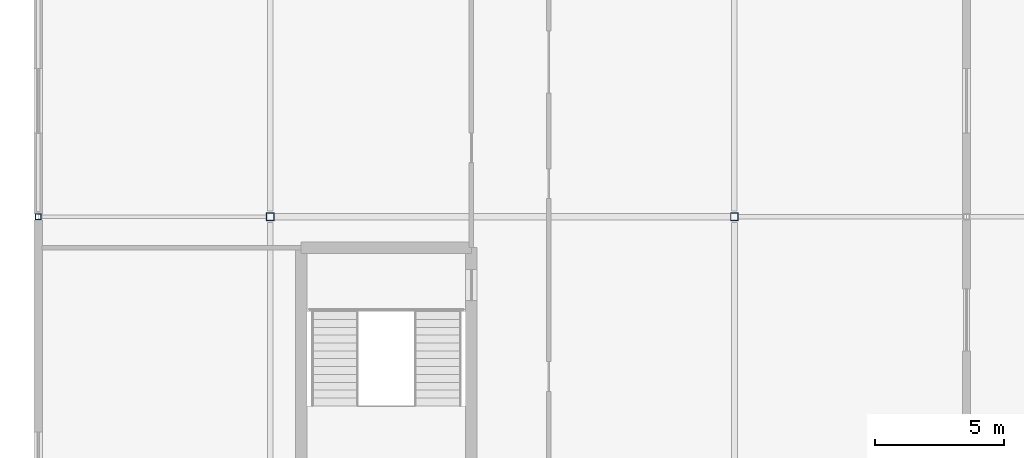
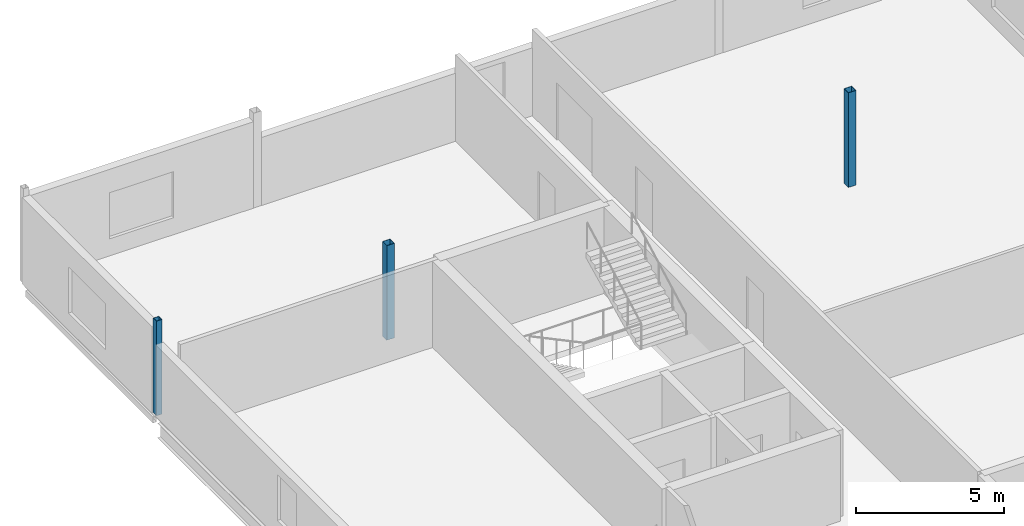
# One storey, part 7 of 55: 3 columns.
"""IFC4 building model written with IfcOpenShell, lengths in metres."""

from ifc_helpers import new_model, si_unit, direction, frame, origin, origin_2d, place, context, subcontext, project, spatial, hollow_rectangle, extrude, material, material_profile, profile_set, type_object, element, save


model = new_model("IFC4")

# Units and contexts
model_context = context("Model", 3, precision=1e-05, world=origin(), true_north=direction((0.0, 1.0)))
body_context = subcontext(model_context, "Body", "Model", "MODEL_VIEW")
ifc_project = project(units=[si_unit("LENGTHUNIT", "METRE"), si_unit("AREAUNIT", "SQUARE_METRE"), si_unit("VOLUMEUNIT", "CUBIC_METRE"), si_unit("PLANEANGLEUNIT", "RADIAN"), si_unit("MASSUNIT", "GRAM", prefix="KILO")], contexts=[model_context])

# Site, building, storey
site_placement = place(None, origin())
site = spatial("IfcSite", under=ifc_project, at=site_placement, CompositionType="ELEMENT")
building_placement = place(site_placement, origin())
building = spatial("IfcBuilding", under=site, at=building_placement, Name="Kisiwana Market Hall", CompositionType="ELEMENT")
storey_placement = place(building_placement, frame((0.0, 0.0, 37.800048828125)))
storey = spatial("IfcBuildingStorey", under=building, at=storey_placement, Name="L08", CompositionType="ELEMENT", Elevation=37.800048828125)

# Columns
ifc_material_1 = material(Name="Steel S355", Category="steel")
ifc_material_profile_1 = material_profile(ifc_material_1, hollow_rectangle(XDim=0.219970703125, YDim=0.219970703125, WallThickness=0.010009765625, at=origin_2d()), Name="SHS 220x220x10")
ifc_profile_set_1 = profile_set([ifc_material_profile_1], Name="Steel S355")
column_type_1 = type_object("IfcColumnType", Name="COL-STL-SHS220", PredefinedType="COLUMN", material=ifc_profile_set_1)
column_placement = place(storey_placement, frame((0.0, 102.0, 0.0), z_axis=(0.0, 0.0, 1.0), x_axis=(1.0, 0.0, 0.0)))
element("IfcColumn", 1, at=column_placement, inside=storey, type_object=column_type_1, Name="Column N/1 (L08) C-1159", PredefinedType="COLUMN", context=body_context, shape_type="SweptSolid", body=[
    extrude(hollow_rectangle(XDim=0.219970703125, YDim=0.219970703125, WallThickness=0.010009765625, at=origin_2d()), origin(), (0.0, 0.0, 1.0), 3.89990234375),
])
ifc_material_2 = material(Name="Steel S355", Category="steel")
ifc_material_profile_2 = material_profile(ifc_material_2, hollow_rectangle(XDim=0.300048828125, YDim=0.300048828125, WallThickness=0.012451171875, at=origin_2d()), Name="SHS 300x300x12.5")
ifc_profile_set_2 = profile_set([ifc_material_profile_2], Name="Steel S355")
column_type_2 = type_object("IfcColumnType", Name="COL-STL-SHS300", PredefinedType="COLUMN", material=ifc_profile_set_2)
for number, where, z_axis, x_axis, name in (
    (2, (9.0, 102.0, 0.0), (0.0, 0.0, 1.0), (1.0, 0.0, 0.0), "Column N/2 (L08) C-1165"),
    (3, (27.0, 102.0, 0.0), (0.0, 0.0, 1.0), (1.0, 0.0, 0.0), "Column N/4 (L08) C-1172"),
):
    element("IfcColumn", number, at=place(storey_placement, frame(where, z_axis=z_axis, x_axis=x_axis)), inside=storey, type_object=column_type_2, Name=name, PredefinedType="COLUMN", context=body_context, shape_type="SweptSolid", body=[
        extrude(hollow_rectangle(XDim=0.300048828125, YDim=0.300048828125, WallThickness=0.012451171875, at=origin_2d()), origin(), (0.0, 0.0, 1.0), 3.89990234375),
    ])

save(model, "model.ifc")
